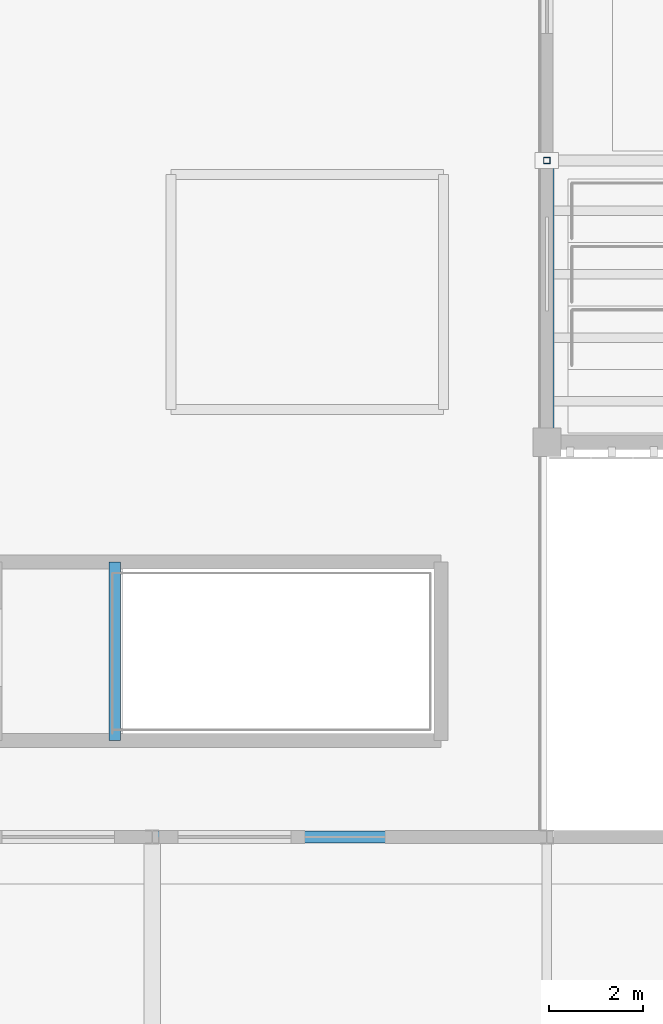
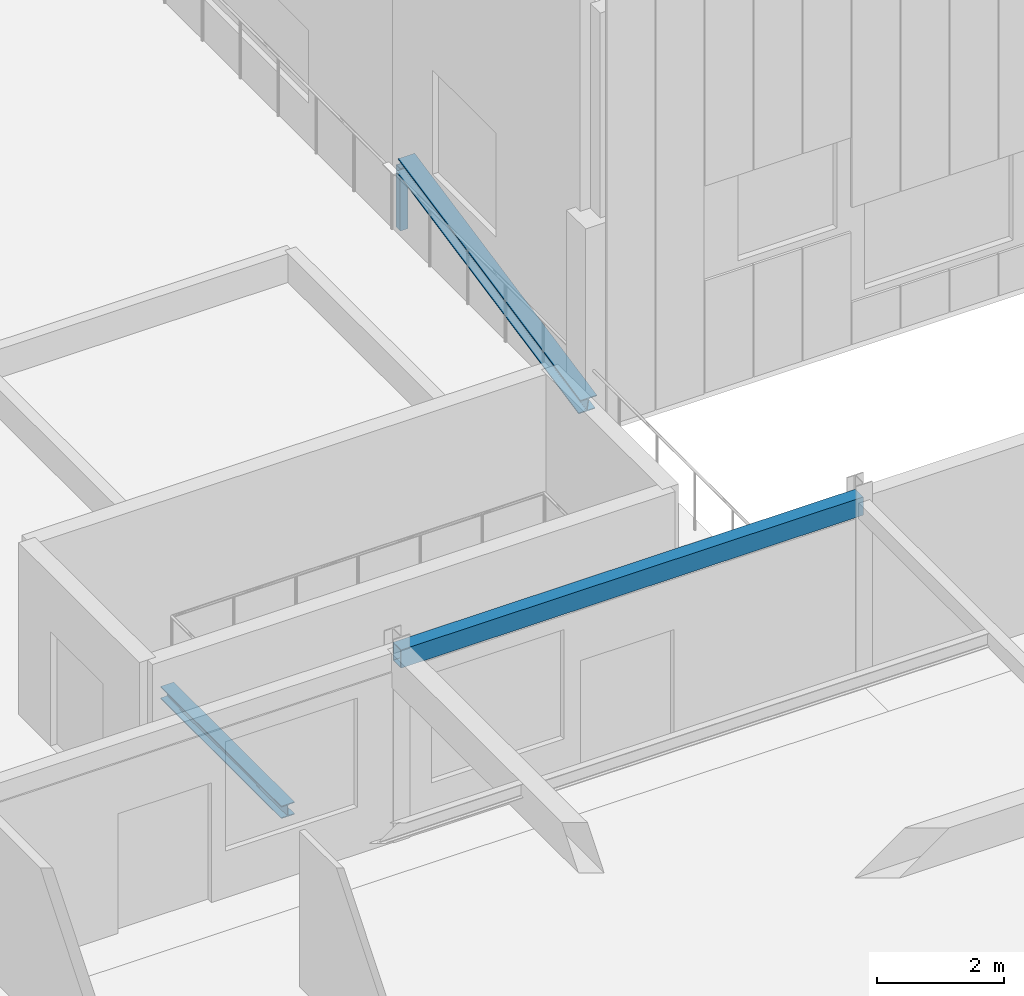
# One storey, part 17 of 67: 3 beams, 1 member.
"""IFC4 building model written with IfcOpenShell, lengths in metres."""

from ifc_helpers import new_model, si_unit, direction, frame, origin, origin_2d, place, context, subcontext, project, spatial, hollow_rectangle, i_section, extrude, material, material_profile, profile_set, type_object, element, save


model = new_model("IFC4")

# Units and contexts
model_context = context("Model", 3, precision=1e-05, world=origin(), true_north=direction((0.0, 1.0)))
body_context = subcontext(model_context, "Body", "Model", "MODEL_VIEW")
ifc_project = project(units=[si_unit("LENGTHUNIT", "METRE"), si_unit("AREAUNIT", "SQUARE_METRE"), si_unit("VOLUMEUNIT", "CUBIC_METRE"), si_unit("PLANEANGLEUNIT", "RADIAN"), si_unit("MASSUNIT", "GRAM", prefix="KILO")], contexts=[model_context])

# Site, building, storey
site_placement = place(None, origin())
site = spatial("IfcSite", under=ifc_project, at=site_placement, CompositionType="ELEMENT")
building_placement = place(site_placement, origin())
building = spatial("IfcBuilding", under=site, at=building_placement, Name="Tizgana Railside Sports Hall", CompositionType="ELEMENT")
storey_placement = place(building_placement, frame((0.0, 0.0, 12.0)))
storey = spatial("IfcBuildingStorey", under=building, at=storey_placement, Name="L02", CompositionType="ELEMENT", Elevation=12.0)

# Beams
ifc_material = material(Name="Steel S355J2", Category="steel")
ifc_material_profile_1 = material_profile(ifc_material, i_section(OverallWidth=0.239990234375, OverallDepth=0.239990234375, WebThickness=0.010009765625, FlangeThickness=0.01708984375, FilletRadius=0.02099609375, at=origin_2d()), Name="HEB 240")
ifc_profile_set_1 = profile_set([ifc_material_profile_1], Name="Steel S355J2")
beam_type_1 = type_object("IfcBeamType", Name="Steel Beam HEB 240", PredefinedType="BEAM", material=ifc_profile_set_1)
beam_1_placement = place(storey_placement, frame((70.60009765625, 34.449951171875, -0.48193359375), z_axis=(0.0, 1.0, 0.0), x_axis=(-1.0, 0.0, 0.0)))
element("IfcBeam", 1, at=beam_1_placement, inside=storey, type_object=beam_type_1, Name="L02 C10 Landing Header", PredefinedType="BEAM", context=body_context, shape_type="SweptSolid", body=[
    extrude(i_section(OverallWidth=0.239990234375, OverallDepth=0.239990234375, WebThickness=0.010009765625, FlangeThickness=0.01708984375, FilletRadius=0.02099609375, at=origin_2d()), origin(), (0.0, 0.0, 1.0), 3.800048828125),
])
ifc_material_profile_2 = material_profile(ifc_material, i_section(OverallWidth=0.300048828125, OverallDepth=0.300048828125, WebThickness=0.010986328125, FlangeThickness=0.01904296875, FilletRadius=0.027099609375, at=origin_2d()), Name="HEB 300")
ifc_profile_set_2 = profile_set([ifc_material_profile_2], Name="Steel S355J2")
beam_type_2 = type_object("IfcBeamType", Name="Steel Beam HEB 300", PredefinedType="BEAM", material=ifc_profile_set_2)
beam_2_placement = place(storey_placement, frame((79.800048828125, 40.949951171875, 0.14990234375), z_axis=(0.0, 0.979812896837, 0.199916700632), x_axis=(-1.0, 0.0, 0.0)))
element("IfcBeam", 2, at=beam_2_placement, inside=storey, type_object=beam_type_2, Name="L02 Stand Main Raker BEM-0065", PredefinedType="BEAM", context=body_context, shape_type="SweptSolid", body=[
    extrude(i_section(OverallWidth=0.300048828125, OverallDepth=0.300048828125, WebThickness=0.010986328125, FlangeThickness=0.01904296875, FilletRadius=0.027099609375, at=origin_2d()), origin(), (0.0, 0.0, 1.0), 5.853271484375),
])

# Member
ifc_material_profile_3 = material_profile(ifc_material, hollow_rectangle(XDim=0.139892578125, YDim=0.139892578125, WallThickness=0.008056640625, at=origin_2d()), Name="SHS 140x140x8")
ifc_profile_set_3 = profile_set([ifc_material_profile_3], Name="Steel S355J2")
member_type = type_object("IfcMemberType", Name="Steel Brace SHS 140x140x8", PredefinedType="BRACE", material=ifc_profile_set_3)
member_placement = place(storey_placement, frame((79.800048828125, 46.800048828125, 0.0), z_axis=(0.0, 0.0, 1.0), x_axis=(1.0, 0.0, 0.0)))
element("IfcMember", 3, at=member_placement, inside=storey, type_object=member_type, Name="L02 Stand Strut", PredefinedType="BRACE", context=body_context, shape_type="SweptSolid", body=[
    extrude(hollow_rectangle(XDim=0.139892578125, YDim=0.139892578125, WallThickness=0.008056640625, at=origin_2d()), origin(), (0.0, 0.0, 1.0), 1.18994140625),
])

# Beam
ifc_material_profile_4 = material_profile(ifc_material, hollow_rectangle(XDim=0.25, YDim=0.35009765625, WallThickness=0.011962890625, at=origin_2d()), Name="RHS 350x250x12")
ifc_profile_set_4 = profile_set([ifc_material_profile_4], Name="Steel S355J2")
beam_type_3 = type_object("IfcBeamType", Name="Steel Spandrel RHS 350x250x12", PredefinedType="SPANDREL", material=ifc_profile_set_4)
beam_3_placement = place(storey_placement, frame((71.39990234375, 32.39990234375, 3.4609375), z_axis=(1.0, 0.0, 0.0), x_axis=(0.0, 1.0, 0.0)))
element("IfcBeam", 4, at=beam_3_placement, inside=storey, type_object=beam_type_3, Name="L02 BEM-0698", PredefinedType="SPANDREL", context=body_context, shape_type="SweptSolid", body=[
    extrude(hollow_rectangle(XDim=0.25, YDim=0.35009765625, WallThickness=0.011962890625, at=origin_2d()), origin(), (0.0, 0.0, 1.0), 8.400146484375),
])

save(model, "model.ifc")
